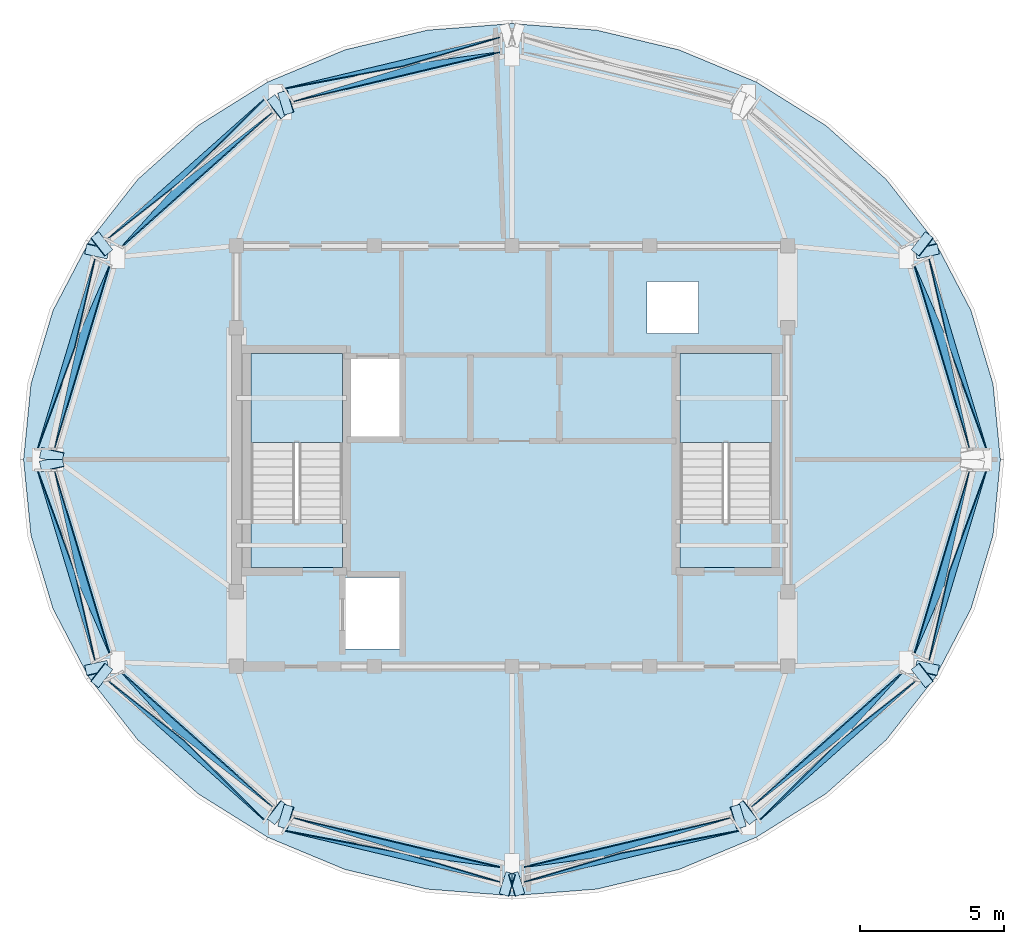
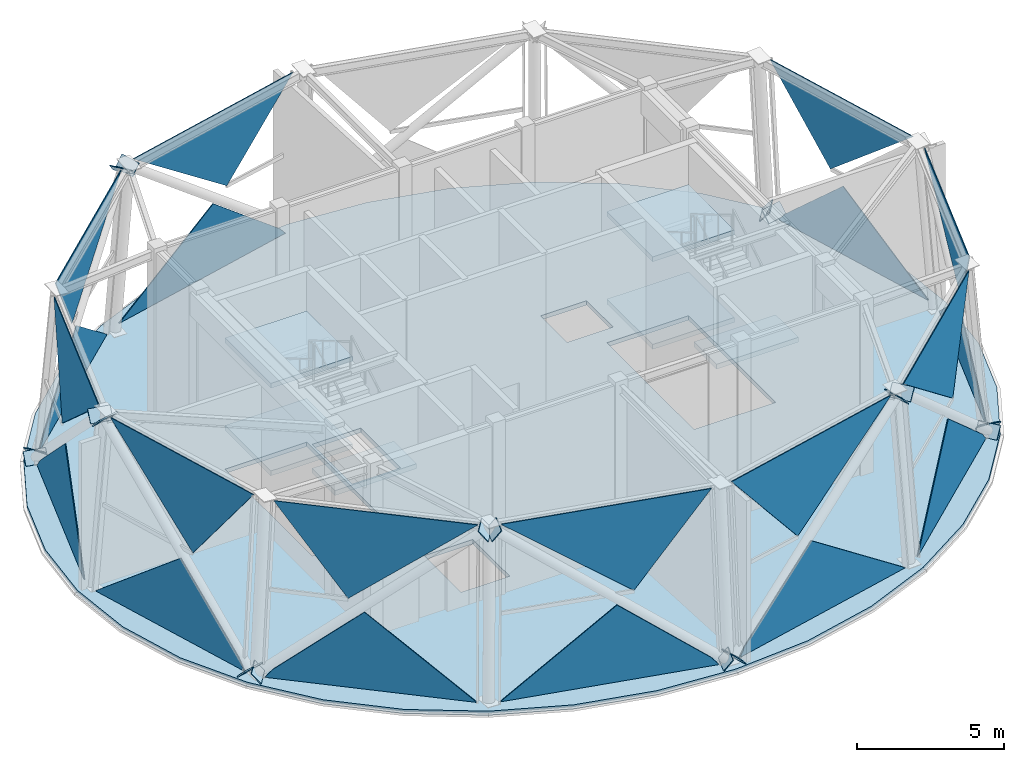
# One storey, part 3 of 9: 38 plates, 7 slabs, 12 elements without a shape of their own.
"""IFC4 building model written with IfcOpenShell, lengths in metres."""

from ifc_helpers import new_model, si_unit, direction, frame, origin, place, context, subcontext, project, spatial, polyline, outline, extrude, material, layer, layer_set, type_object, element, aggregate, save


model = new_model("IFC4")

# Units and contexts
model_context = context("Model", 3, precision=1e-05, world=origin(), true_north=direction((0.0, 1.0)))
body_context = subcontext(model_context, "Body", "Model", "MODEL_VIEW")
ifc_project = project(units=[si_unit("LENGTHUNIT", "METRE"), si_unit("AREAUNIT", "SQUARE_METRE"), si_unit("VOLUMEUNIT", "CUBIC_METRE"), si_unit("PLANEANGLEUNIT", "RADIAN"), si_unit("MASSUNIT", "GRAM", prefix="KILO")], contexts=[model_context])

# Site, building, storey
site_placement = place(None, origin())
site = spatial("IfcSite", under=ifc_project, at=site_placement, CompositionType="ELEMENT")
building_placement = place(site_placement, origin())
building = spatial("IfcBuilding", under=site, at=building_placement, Name="Vantalir Tower", CompositionType="ELEMENT")
storey_placement = place(building_placement, frame((0.0, 0.0, 311.75)))
storey = spatial("IfcBuildingStorey", under=building, at=storey_placement, Name="L77", CompositionType="ELEMENT", Elevation=311.75)

# Curtain wall, plates
ifc_material_1 = material(Name="Champagne-silver PVDF aluminium and double-silver Low-E glass", Category="aluminium")
ifc_layer_1 = layer(ifc_material_1, 0.25)
ifc_layer_set_1 = layer_set([ifc_layer_1], Name="Champagne-silver PVDF aluminium and double-silver Low-E glass")
curtain_wall_type = type_object("IfcCurtainWallType", Name="CW-CROWN-PT", PredefinedType="USERDEFINED", material=ifc_layer_set_1)
curtain_wall_1_placement = place(storey_placement, origin())
curtain_wall_1 = element("IfcCurtainWall", 1, at=curtain_wall_1_placement, inside=storey, type_object=curtain_wall_type, Name="L77 Quilted Pyramid-Diamond Curtain Wall S01", ObjectType="UNITISED CURTAIN WALL", PredefinedType="USERDEFINED")
ifc_material_2 = material(Name="Faceted crown Low-E glass IGU", Category="glass")
ifc_layer_2 = layer(ifc_material_2, 0.033935546875)
ifc_layer_set_2 = layer_set([ifc_layer_2], Name="Faceted crown Low-E glass IGU")
plate_type_1 = type_object("IfcPlateType", Name="CWP-IGU-CRN-34", PredefinedType="CURTAIN_PANEL", material=ifc_layer_set_2)
plate_1_placement = place(storey_placement, frame((48.0361328125, 25.38720703125, 0.04931640625), z_axis=(0.955012176743, 0.287329998419, 0.073438506796), x_axis=(-0.288115449425, 0.957595674868, 0.000106194464)))
plate_1 = element("IfcPlate", 2, at=plate_1_placement, type_object=plate_type_1, Name="CW-L77-S01 Pyramid Diamond Facet 1L", PredefinedType="CURTAIN_PANEL", context=body_context, shape_type="SweptSolid", body=[
    extrude(outline(polyline([(0.0, 0.0), (6.934702029560451, 2.7538735181131813e-17), (6.626071217324893, 0.40786840115409084), (3.753048219072223, 3.0380824976621223), (0.0, 0.0)])), origin(), (0.0, 0.0, -1.0), 0.033935546875),
])
plate_2_placement = place(storey_placement, frame((45.53076171875, 31.766357421875, 7.019775390625), z_axis=(0.953961009536, 0.287012465999, 0.087076039451), x_axis=(0.28809758673, -0.957601048679, 0.000109946923)))
plate_2 = element("IfcPlate", 3, at=plate_2_placement, type_object=plate_type_1, Name="CW-L77-S01 Pyramid Diamond Facet 2U", PredefinedType="CURTAIN_PANEL", context=body_context, shape_type="SweptSolid", body=[
    extrude(outline(polyline([(0.0, 0.0), (6.6615950341970755, 7.589415207398531e-18), (2.531010857207447, 3.483725487692817), (0.0, 0.0)])), origin(), (0.0, 0.0, -1.0), 0.033935546875),
])
aggregate(curtain_wall_1, [plate_1, plate_2])

curtain_wall_2_placement = place(storey_placement, origin())
curtain_wall_2 = element("IfcCurtainWall", 4, at=curtain_wall_2_placement, inside=storey, type_object=curtain_wall_type, Name="L77 Quilted Pyramid-Diamond Curtain Wall S04", ObjectType="UNITISED CURTAIN WALL", PredefinedType="USERDEFINED")
plate_3_placement = place(storey_placement, frame((31.10693359375, 39.73583984375, 0.049560546875), z_axis=(-0.231632881221, 0.970560826286, 0.066014322813), x_axis=(-0.972683531964, -0.232135181835, -6.3245868e-05)))
plate_3 = element("IfcPlate", 5, at=plate_3_placement, type_object=plate_type_1, Name="CW-L77-S04 Pyramid Diamond Facet 1L", PredefinedType="CURTAIN_PANEL", context=body_context, shape_type="SweptSolid", body=[
    extrude(outline(polyline([(0.0, 0.0), (7.751281555355165, -9.540979117872439e-18), (3.553887521909711, 3.0405486041983556), (0.2887131043768146, 0.3406030210276883), (0.0, 0.0)])), origin(), (0.0, 0.0, -1.0), 0.033935546875),
])
plate_4_placement = place(storey_placement, frame((23.8603515625, 37.483154296875, 7.020751953125), z_axis=(-0.231408325394, 0.969592006414, 0.079633711684), x_axis=(0.972679835992, 0.232150667368, -6.5542255e-05)))
plate_4 = element("IfcPlate", 6, at=plate_4_placement, type_object=plate_type_1, Name="CW-L77-S04 Pyramid Diamond Facet 2U", PredefinedType="CURTAIN_PANEL", context=body_context, shape_type="SweptSolid", body=[
    extrude(outline(polyline([(0.0, 0.0), (7.449869548532356, -2.222614453595284e-17), (4.622520735651322, 3.4819464328021157), (0.0, 0.0)])), origin(), (0.0, 0.0, -1.0), 0.033935546875),
])
aggregate(curtain_wall_2, [plate_3, plate_4])

curtain_wall_3_placement = place(storey_placement, origin())
curtain_wall_3 = element("IfcCurtainWall", 7, at=curtain_wall_3_placement, inside=storey, type_object=curtain_wall_type, Name="L77 Quilted Pyramid-Diamond Curtain Wall S05", ObjectType="UNITISED CURTAIN WALL", PredefinedType="USERDEFINED")
plate_5_placement = place(storey_placement, frame((22.8720703125, 37.573974609375, 0.04931640625), z_axis=(-0.66341399739, 0.745011022953, 0.069573297645), x_axis=(-0.746817640441, -0.66502887728, 6.5657226e-05)))
plate_5 = element("IfcPlate", 8, at=plate_5_placement, type_object=plate_type_1, Name="CW-L77-S05 Pyramid Diamond Facet 1L", PredefinedType="CURTAIN_PANEL", context=body_context, shape_type="SweptSolid", body=[
    extrude(outline(polyline([(0.0, 0.0), (7.3537247055212145, -4.2825985813177425e-17), (7.053623756728554, 0.36785990261529244), (3.9421900980509785, 3.0373691792836417), (0.0, 0.0)])), origin(), (0.0, 0.0, -1.0), 0.033935546875),
])
plate_6_placement = place(storey_placement, frame((17.887451171875, 32.422119140625, 7.02001953125), z_axis=(-0.662654787285, 0.744320157688, 0.082922468292), x_axis=(0.746898185488, 0.664938410508, 0.000103659075)))
plate_6 = element("IfcPlate", 9, at=plate_6_placement, type_object=plate_type_1, Name="CW-L77-S05 Pyramid Diamond Facet 2U", PredefinedType="CURTAIN_PANEL", context=body_context, shape_type="SweptSolid", body=[
    extrude(outline(polyline([(0.0, 0.0), (7.065680239333695, 9.8879238130678e-17), (2.633110383253855, 3.4827264533966646), (0.0, 0.0)])), origin(), (0.0, 0.0, -1.0), 0.033935546875),
])
aggregate(curtain_wall_3, [plate_5, plate_6])

curtain_wall_4_placement = place(storey_placement, origin())
curtain_wall_4 = element("IfcCurtainWall", 10, at=curtain_wall_4_placement, inside=storey, type_object=curtain_wall_type, Name="L77 Quilted Pyramid-Diamond Curtain Wall S06", ObjectType="UNITISED CURTAIN WALL", PredefinedType="USERDEFINED")
plate_7_placement = place(storey_placement, frame((16.9619140625, 32.02783203125, 0.050048828125), z_axis=(-0.955012176743, 0.287329998419, 0.073438506796), x_axis=(-0.288115449425, -0.957595674868, -0.000106194464)))
plate_7 = element("IfcPlate", 11, at=plate_7_placement, type_object=plate_type_1, Name="CW-L77-S06 Pyramid Diamond Facet 1L", PredefinedType="CURTAIN_PANEL", context=body_context, shape_type="SweptSolid", body=[
    extrude(outline(polyline([(0.0, 0.0), (6.934702029560451, -2.7538735181131813e-17), (3.181653810488227, 3.038082497662122), (0.3086308122355579, 0.4078684011540909), (0.0, 0.0)])), origin(), (0.0, 0.0, -1.0), 0.033935546875),
])
plate_8_placement = place(storey_placement, frame((15.550048828125, 25.38720703125, 7.0205078125), z_axis=(-0.953961009536, 0.287012465999, 0.087076039451), x_axis=(0.28809758673, 0.957601048679, -0.000109946923)))
plate_8 = element("IfcPlate", 12, at=plate_8_placement, type_object=plate_type_1, Name="CW-L77-S06 Pyramid Diamond Facet 2U", PredefinedType="CURTAIN_PANEL", context=body_context, shape_type="SweptSolid", body=[
    extrude(outline(polyline([(0.0, 0.0), (6.6615950341970755, -7.589415207398531e-18), (4.130584176989628, 3.483725487692817), (0.0, 0.0)])), origin(), (0.0, 0.0, -1.0), 0.033935546875),
])
aggregate(curtain_wall_4, [plate_7, plate_8])

curtain_wall_5_placement = place(storey_placement, origin())
curtain_wall_5 = element("IfcCurtainWall", 13, at=curtain_wall_5_placement, inside=storey, type_object=curtain_wall_type, Name="L77 Quilted Pyramid-Diamond Curtain Wall S07", ObjectType="UNITISED CURTAIN WALL", PredefinedType="USERDEFINED")
plate_9_placement = place(storey_placement, frame((14.9638671875, 24.61279296875, 0.04931640625), z_axis=(-0.955012176743, -0.287329998419, 0.073438506796), x_axis=(0.288115449425, -0.957595674868, 0.000106194464)))
plate_9 = element("IfcPlate", 14, at=plate_9_placement, type_object=plate_type_1, Name="CW-L77-S07 Pyramid Diamond Facet 1L", PredefinedType="CURTAIN_PANEL", context=body_context, shape_type="SweptSolid", body=[
    extrude(outline(polyline([(0.0, 0.0), (6.934702029560451, 2.7538735181131813e-17), (6.626071217324893, 0.40786840115409084), (3.753048219072223, 3.0380824976621223), (0.0, 0.0)])), origin(), (0.0, 0.0, -1.0), 0.033935546875),
])
plate_10_placement = place(storey_placement, frame((17.46923828125, 18.233642578125, 7.019775390625), z_axis=(-0.953961009536, -0.287012465999, 0.087076039451), x_axis=(-0.28809758673, 0.957601048679, 0.000109946923)))
plate_10 = element("IfcPlate", 15, at=plate_10_placement, type_object=plate_type_1, Name="CW-L77-S07 Pyramid Diamond Facet 2U", PredefinedType="CURTAIN_PANEL", context=body_context, shape_type="SweptSolid", body=[
    extrude(outline(polyline([(0.0, 0.0), (6.6615950341970755, 7.589415207398531e-18), (2.531010857207447, 3.483725487692817), (0.0, 0.0)])), origin(), (0.0, 0.0, -1.0), 0.033935546875),
])
aggregate(curtain_wall_5, [plate_9, plate_10])

curtain_wall_6_placement = place(storey_placement, origin())
curtain_wall_6 = element("IfcCurtainWall", 16, at=curtain_wall_6_placement, inside=storey, type_object=curtain_wall_type, Name="L77 Quilted Pyramid-Diamond Curtain Wall S08", ObjectType="UNITISED CURTAIN WALL", PredefinedType="USERDEFINED")
plate_11_placement = place(storey_placement, frame((17.380126953125, 17.31640625, 0.0498046875), z_axis=(-0.663450955963, -0.744983318847, 0.069517506222), x_axis=(0.746786903312, -0.665063392896, -6.6872084e-05)))
plate_11 = element("IfcPlate", 17, at=plate_11_placement, type_object=plate_type_1, Name="CW-L77-S08 Pyramid Diamond Facet 1L", PredefinedType="CURTAIN_PANEL", context=body_context, shape_type="SweptSolid", body=[
    extrude(outline(polyline([(0.0, 0.0), (7.352833040974875, 9.269928574751063e-18), (3.4115012203229305, 3.037116756814802), (0.2999169951603921, 0.36784992590931226), (0.0, 0.0)])), origin(), (0.0, 0.0, -1.0), 0.033935546875),
])
plate_12_placement = place(storey_placement, frame((23.164794921875, 12.879638671875, 7.020751953125), z_axis=(-0.662652228857, -0.744317276693, 0.082968760428), x_axis=(-0.746898185488, 0.664938410508, -0.000103659075)))
plate_12 = element("IfcPlate", 18, at=plate_12_placement, type_object=plate_type_1, Name="CW-L77-S08 Pyramid Diamond Facet 2U", PredefinedType="CURTAIN_PANEL", context=body_context, shape_type="SweptSolid", body=[
    extrude(outline(polyline([(0.0, 0.0), (7.065680239333695, -8.46761896711179e-17), (4.432752204269656, 3.482739899824792), (0.0, 0.0)])), origin(), (0.0, 0.0, -1.0), 0.033935546875),
])
aggregate(curtain_wall_6, [plate_11, plate_12])

curtain_wall_7_placement = place(storey_placement, origin())
curtain_wall_7 = element("IfcCurtainWall", 19, at=curtain_wall_7_placement, inside=storey, type_object=curtain_wall_type, Name="L77 Quilted Pyramid-Diamond Curtain Wall S09", ObjectType="UNITISED CURTAIN WALL", PredefinedType="USERDEFINED")
plate_13_placement = place(storey_placement, frame((23.56640625, 12.0634765625, 0.049072265625), z_axis=(-0.231601564441, -0.970572575754, 0.065951425627), x_axis=(0.972691247436, -0.232102850467, 6.2973711e-05)))
plate_13 = element("IfcPlate", 20, at=plate_13_placement, type_object=plate_type_1, Name="CW-L77-S09 Pyramid Diamond Facet 1L", PredefinedType="CURTAIN_PANEL", context=body_context, shape_type="SweptSolid", body=[
    extrude(outline(polyline([(0.0, 0.0), (7.752231445852116, -1.8214596497756474e-17), (7.4635189955299674, 0.3406035767227069), (4.198168979634575, 3.0407796453364395), (0.0, 0.0)])), origin(), (0.0, 0.0, -1.0), 0.033935546875),
])
plate_14_placement = place(storey_placement, frame((31.106689453125, 10.787353515625, 7.020263671875), z_axis=(-0.231408024372, -0.969590749741, 0.079649885581), x_axis=(-0.972679835992, 0.232150667368, 6.5542255e-05)))
plate_14 = element("IfcPlate", 21, at=plate_14_placement, type_object=plate_type_1, Name="CW-L77-S09 Pyramid Diamond Facet 2U", PredefinedType="CURTAIN_PANEL", context=body_context, shape_type="SweptSolid", body=[
    extrude(outline(polyline([(0.0, 0.0), (7.449869548532356, -3.74049749507499e-18), (2.827586283544119, 3.4819509622078564), (0.0, 0.0)])), origin(), (0.0, 0.0, -1.0), 0.033935546875),
])
aggregate(curtain_wall_7, [plate_13, plate_14])

curtain_wall_8_placement = place(storey_placement, origin())
curtain_wall_8 = element("IfcCurtainWall", 22, at=curtain_wall_8_placement, inside=storey, type_object=curtain_wall_type, Name="L77 Quilted Pyramid-Diamond Curtain Wall S10", ObjectType="UNITISED CURTAIN WALL", PredefinedType="USERDEFINED")
plate_15_placement = place(storey_placement, frame((31.89306640625, 10.26416015625, 0.049560546875), z_axis=(0.231601564441, -0.970572575754, 0.065951425627), x_axis=(0.972691247436, 0.232102850467, -6.2973711e-05)))
plate_15 = element("IfcPlate", 23, at=plate_15_placement, type_object=plate_type_1, Name="CW-L77-S10 Pyramid Diamond Facet 1L", PredefinedType="CURTAIN_PANEL", context=body_context, shape_type="SweptSolid", body=[
    extrude(outline(polyline([(0.0, 0.0), (7.752231445852116, 1.8214596497756474e-17), (3.5540624662175406, 3.0407796453364395), (0.2887124503221482, 0.34060357672270697), (0.0, 0.0)])), origin(), (0.0, 0.0, -1.0), 0.033935546875),
])
plate_16_placement = place(storey_placement, frame((39.1396484375, 12.516845703125, 7.020751953125), z_axis=(0.231408024372, -0.969590749741, 0.079649885581), x_axis=(-0.972679835992, -0.232150667368, -6.5542255e-05)))
plate_16 = element("IfcPlate", 24, at=plate_16_placement, type_object=plate_type_1, Name="CW-L77-S10 Pyramid Diamond Facet 2U", PredefinedType="CURTAIN_PANEL", context=body_context, shape_type="SweptSolid", body=[
    extrude(outline(polyline([(0.0, 0.0), (7.449869548532356, 3.74049749507499e-18), (4.622283264988238, 3.4819509622078564), (0.0, 0.0)])), origin(), (0.0, 0.0, -1.0), 0.033935546875),
])
aggregate(curtain_wall_8, [plate_15, plate_16])

curtain_wall_9_placement = place(storey_placement, origin())
curtain_wall_9 = element("IfcCurtainWall", 25, at=curtain_wall_9_placement, inside=storey, type_object=curtain_wall_type, Name="L77 Quilted Pyramid-Diamond Curtain Wall S11", ObjectType="UNITISED CURTAIN WALL", PredefinedType="USERDEFINED")
plate_17_placement = place(storey_placement, frame((40.12890625, 12.42626953125, 0.04931640625), z_axis=(0.663450955963, -0.744983318847, 0.069517506222), x_axis=(0.746786903312, 0.665063392896, 6.6872084e-05)))
plate_17 = element("IfcPlate", 26, at=plate_17_placement, type_object=plate_type_1, Name="CW-L77-S11 Pyramid Diamond Facet 1L", PredefinedType="CURTAIN_PANEL", context=body_context, shape_type="SweptSolid", body=[
    extrude(outline(polyline([(0.0, 0.0), (7.352833040974875, -9.269928574751063e-18), (7.0529160458144835, 0.3678499259093123), (3.9413318206519454, 3.0371167568148016), (0.0, 0.0)])), origin(), (0.0, 0.0, -1.0), 0.033935546875),
])
plate_18_placement = place(storey_placement, frame((45.112548828125, 17.577880859375, 7.02001953125), z_axis=(0.662652228857, -0.744317276693, 0.082968760428), x_axis=(-0.746898185488, -0.664938410508, 0.000103659075)))
plate_18 = element("IfcPlate", 27, at=plate_18_placement, type_object=plate_type_1, Name="CW-L77-S11 Pyramid Diamond Facet 2U", PredefinedType="CURTAIN_PANEL", context=body_context, shape_type="SweptSolid", body=[
    extrude(outline(polyline([(0.0, 0.0), (7.065680239333695, 8.46761896711179e-17), (2.632928035064039, 3.482739899824792), (0.0, 0.0)])), origin(), (0.0, 0.0, -1.0), 0.033935546875),
])
aggregate(curtain_wall_9, [plate_17, plate_18])

curtain_wall_10_placement = place(storey_placement, origin())
curtain_wall_10 = element("IfcCurtainWall", 28, at=curtain_wall_10_placement, inside=storey, type_object=curtain_wall_type, Name="L77 Quilted Pyramid-Diamond Curtain Wall S12", ObjectType="UNITISED CURTAIN WALL", PredefinedType="USERDEFINED")
plate_19_placement = place(storey_placement, frame((46.0380859375, 17.97216796875, 0.050048828125), z_axis=(0.955012176743, -0.287329998419, 0.073438506796), x_axis=(0.288115449425, 0.957595674868, -0.000106194464)))
plate_19 = element("IfcPlate", 29, at=plate_19_placement, type_object=plate_type_1, Name="CW-L77-S12 Pyramid Diamond Facet 1L", PredefinedType="CURTAIN_PANEL", context=body_context, shape_type="SweptSolid", body=[
    extrude(outline(polyline([(0.0, 0.0), (6.934702029560451, -2.7538735181131813e-17), (3.181653810488227, 3.038082497662122), (0.3086308122355579, 0.4078684011540909), (0.0, 0.0)])), origin(), (0.0, 0.0, -1.0), 0.033935546875),
])
plate_20_placement = place(storey_placement, frame((47.449951171875, 24.61279296875, 7.0205078125), z_axis=(0.953961009536, -0.287012465999, 0.087076039451), x_axis=(-0.28809758673, -0.957601048679, -0.000109946923)))
plate_20 = element("IfcPlate", 30, at=plate_20_placement, type_object=plate_type_1, Name="CW-L77-S12 Pyramid Diamond Facet 2U", PredefinedType="CURTAIN_PANEL", context=body_context, shape_type="SweptSolid", body=[
    extrude(outline(polyline([(0.0, 0.0), (6.6615950341970755, -7.589415207398531e-18), (4.130584176989628, 3.483725487692817), (0.0, 0.0)])), origin(), (0.0, 0.0, -1.0), 0.033935546875),
])
aggregate(curtain_wall_10, [plate_19, plate_20])

# Plates
ifc_material_3 = material(Name="Steel S460", Category="steel")
ifc_layer_3 = layer(ifc_material_3, 0.031982421875)
ifc_layer_set_3 = layer_set([ifc_layer_3], Name="Steel S460")
plate_type_2 = type_object("IfcPlateType", Name="PLT-KN-Z3", PredefinedType="USERDEFINED", material=ifc_layer_set_3)
plate_21_placement = place(storey_placement, frame((45.897705078125, 32.94091796875, 0.0302734375), z_axis=(-0.600158719192, 0.467267260388, 0.649207839715), x_axis=(-0.614300233876, -0.789072379771, 4.6283455e-05)))
element("IfcPlate", 31, at=plate_21_placement, inside=storey, type_object=plate_type_2, Name="Node Cap Plate MEM-DG-L77-R04L Start", ObjectType="FLANGE_PLATE", PredefinedType="USERDEFINED", context=body_context, shape_type="SweptSolid", body=[
    extrude(outline(polyline([(0.0, 0.0), (0.8000799670118719, -5.551115123125783e-17), (0.8000301316760322, 0.5199382537937726), (0.0001428092881279382, 0.5200356123754015), (0.0, 0.0)])), origin(), (0.0, 0.0, -1.0), 0.031982421875),
])
plate_22_placement = place(storey_placement, frame((45.60595703125, 31.992919921875, 0.041015625), z_axis=(0.160170520317, -0.722178286815, 0.672907071203), x_axis=(0.976291337283, 0.216460664436, -7.4155364e-05)))
element("IfcPlate", 32, at=plate_22_placement, inside=storey, type_object=plate_type_2, Name="Node Cap Plate MEM-DG-L77-R04R Start", ObjectType="FLANGE_PLATE", PredefinedType="USERDEFINED", context=body_context, shape_type="SweptSolid", body=[
    extrude(outline(polyline([(0.0, 0.0), (0.799957665784163, 1.3877787807814457e-17), (0.7997871226840061, 0.5202255990742903), (-0.00022338994206034965, 0.5200652071744087), (0.0, 0.0)])), origin(), (0.0, 0.0, -1.0), 0.031982421875),
])
plate_23_placement = place(storey_placement, frame((23.33740234375, 37.767578125, 6.664794921875), z_axis=(-0.738619606851, -0.224530936309, 0.635631131251), x_axis=(0.290845849955, -0.956769926139, 0.0)))
element("IfcPlate", 33, at=plate_23_placement, inside=storey, type_object=plate_type_2, Name="Node Cap Plate MEM-DG-L77-R10L End", ObjectType="FLANGE_PLATE", PredefinedType="USERDEFINED", context=body_context, shape_type="SweptSolid", body=[
    extrude(outline(polyline([(0.0, 0.0), (0.79996333336249, -2.7755575615628914e-17), (0.799884726134364, 0.5199104529275843), (-7.860722812594992e-05, 0.5199104529275843), (0.0, 0.0)])), origin(), (0.0, 0.0, -1.0), 0.031982421875),
])
plate_24_placement = place(storey_placement, frame((16.613037109375, 32.166015625, 0.041015625), z_axis=(-0.160170520317, -0.722178286815, 0.672907071203), x_axis=(0.976291337283, -0.216460664436, 7.4155364e-05)))
element("IfcPlate", 34, at=plate_24_placement, inside=storey, type_object=plate_type_2, Name="Node Cap Plate MEM-DG-L77-R16L Start", ObjectType="FLANGE_PLATE", PredefinedType="USERDEFINED", context=body_context, shape_type="SweptSolid", body=[
    extrude(outline(polyline([(0.0, 0.0), (0.799957665784163, -1.3877787807814457e-17), (0.8001810557262234, 0.5200652071744087), (0.00017054310015707116, 0.5202255990742902), (0.0, 0.0)])), origin(), (0.0, 0.0, -1.0), 0.031982421875),
])
plate_25_placement = place(storey_placement, frame((15.037109375, 25.057373046875, 6.665771484375), z_axis=(-0.160181474395, -0.722227676658, 0.672851453391), x_axis=(0.976262128261, -0.216592362342, -7.4149406e-05)))
element("IfcPlate", 35, at=plate_25_placement, inside=storey, type_object=plate_type_2, Name="Node Cap Plate MEM-DG-L77-R16L End", ObjectType="FLANGE_PLATE", PredefinedType="USERDEFINED", context=body_context, shape_type="SweptSolid", body=[
    extrude(outline(polyline([(0.0, 0.0), (0.8000105287036665, 2.7755575615628914e-17), (0.7998384322726139, 0.5201900219290092), (-0.00011921743634029344, 0.5200296538834696), (0.0, 0.0)])), origin(), (0.0, 0.0, -1.0), 0.031982421875),
])
for number, where, z_axis, x_axis, name in (
    (36, (17.59375, 32.3095703125, 0.0302734375), (0.600158719192, 0.467267260388, 0.649207839715), (-0.614300233876, 0.789072379771, -4.6283455e-05), "Node Cap Plate MEM-DG-L77-R16R Start"),
    (37, (23.728271484375, 37.08544921875, 6.6650390625), (0.600158719192, 0.467267260388, 0.649207839715), (-0.614300233876, 0.789072379771, -4.6283455e-05), "Node Cap Plate MEM-DG-L77-R16R End"),
):
    element("IfcPlate", number, at=place(storey_placement, frame(where, z_axis=z_axis, x_axis=x_axis)), inside=storey, type_object=plate_type_2, Name=name, ObjectType="FLANGE_PLATE", PredefinedType="USERDEFINED", context=body_context, shape_type="SweptSolid", body=[
        extrude(outline(polyline([(0.0, 0.0), (0.8000799670118719, 5.551115123125783e-17), (0.7999371577237439, 0.5200356123754015), (4.983533583970895e-05, 0.5199382537937727), (0.0, 0.0)])), origin(), (0.0, 0.0, -1.0), 0.031982421875),
    ])
for number, where, z_axis, x_axis, name in (
    (38, (17.102294921875, 17.05908203125, 0.0302734375), (0.600158719192, -0.467267260388, 0.649207839715), (0.614300233876, 0.789072379771, 4.6283455e-05), "Node Cap Plate MEM-DG-L77-R22L Start"),
    (39, (23.23681640625, 12.283203125, 6.6650390625), (0.600158719192, -0.467267260388, 0.649207839715), (0.614300233876, 0.789072379771, 4.6283455e-05), "Node Cap Plate MEM-DG-L77-R22L End"),
):
    element("IfcPlate", number, at=place(storey_placement, frame(where, z_axis=z_axis, x_axis=x_axis)), inside=storey, type_object=plate_type_2, Name=name, ObjectType="FLANGE_PLATE", PredefinedType="USERDEFINED", context=body_context, shape_type="SweptSolid", body=[
        extrude(outline(polyline([(0.0, 0.0), (0.8000799670118719, -5.551115123125783e-17), (0.8000301316760322, 0.5199382537937726), (0.0001428092881279382, 0.5200356123754015), (0.0, 0.0)])), origin(), (0.0, 0.0, -1.0), 0.031982421875),
    ])
plate_26_placement = place(storey_placement, frame((17.39404296875, 18.007080078125, 0.041015625), z_axis=(-0.160170520317, 0.722178286815, 0.672907071203), x_axis=(-0.976291337283, -0.216460664436, -7.4155364e-05)))
element("IfcPlate", 40, at=plate_26_placement, inside=storey, type_object=plate_type_2, Name="Node Cap Plate MEM-DG-L77-R22R Start", ObjectType="FLANGE_PLATE", PredefinedType="USERDEFINED", context=body_context, shape_type="SweptSolid", body=[
    extrude(outline(polyline([(0.0, 0.0), (0.799957665784163, 1.3877787807814457e-17), (0.7997871226840061, 0.5202255990742903), (-0.00022338994206034965, 0.5200652071744087), (0.0, 0.0)])), origin(), (0.0, 0.0, -1.0), 0.031982421875),
])
plate_27_placement = place(storey_placement, frame((15.818115234375, 25.115966796875, 6.665771484375), z_axis=(-0.160181474395, 0.722227676658, 0.672851453391), x_axis=(-0.976262128261, -0.216592362342, 7.4149406e-05)))
element("IfcPlate", 41, at=plate_27_placement, inside=storey, type_object=plate_type_2, Name="Node Cap Plate MEM-DG-L77-R22R End", ObjectType="FLANGE_PLATE", PredefinedType="USERDEFINED", context=body_context, shape_type="SweptSolid", body=[
    extrude(outline(polyline([(0.0, 0.0), (0.8000105287036665, -2.7755575615628914e-17), (0.8001297461400069, 0.5200296538834696), (0.00017209643105269544, 0.5201900219290091), (0.0, 0.0)])), origin(), (0.0, 0.0, -1.0), 0.031982421875),
])
plate_28_placement = place(storey_placement, frame((31.94287109375, 9.886474609375, 0.024169921875), z_axis=(0.738683729323, 0.224550428722, 0.635549725037), x_axis=(-0.290845849955, 0.956769926139, 0.0)))
element("IfcPlate", 42, at=plate_28_placement, inside=storey, type_object=plate_type_2, Name="Node Cap Plate MEM-DG-L77-R28L Start", ObjectType="FLANGE_PLATE", PredefinedType="USERDEFINED", context=body_context, shape_type="SweptSolid", body=[
    extrude(outline(polyline([(0.0, 0.0), (0.79996333336249, 0.0), (0.8001183125421127, 0.5198653213751403), (0.00015497917962277452, 0.5198653213751402), (0.0, 0.0)])), origin(), (0.0, 0.0, -1.0), 0.031982421875),
])
plate_29_placement = place(storey_placement, frame((39.66259765625, 12.232421875, 6.664794921875), z_axis=(0.738619606851, 0.224530936309, 0.635631131251), x_axis=(-0.290845849955, 0.956769926139, 0.0)))
element("IfcPlate", 43, at=plate_29_placement, inside=storey, type_object=plate_type_2, Name="Node Cap Plate MEM-DG-L77-R28L End", ObjectType="FLANGE_PLATE", PredefinedType="USERDEFINED", context=body_context, shape_type="SweptSolid", body=[
    extrude(outline(polyline([(0.0, 0.0), (0.79996333336249, -2.7755575615628914e-17), (0.799884726134364, 0.5199104529275843), (-7.860722812594992e-05, 0.5199104529275843), (0.0, 0.0)])), origin(), (0.0, 0.0, -1.0), 0.031982421875),
])
plate_30_placement = place(storey_placement, frame((31.289794921875, 10.65185546875, 0.024169921875), z_axis=(-0.738683729323, 0.224550428722, 0.635549725037), x_axis=(-0.290845849955, -0.956769926139, 0.0)))
element("IfcPlate", 44, at=plate_30_placement, inside=storey, type_object=plate_type_2, Name="Node Cap Plate MEM-DG-L77-R28R Start", ObjectType="FLANGE_PLATE", PredefinedType="USERDEFINED", context=body_context, shape_type="SweptSolid", body=[
    extrude(outline(polyline([(0.0, 0.0), (0.79996333336249, 0.0), (0.7998083541828673, 0.5198653213751402), (-0.00015497917962277452, 0.5198653213751402), (0.0, 0.0)])), origin(), (0.0, 0.0, -1.0), 0.031982421875),
])
plate_31_placement = place(storey_placement, frame((23.570068359375, 12.997802734375, 6.664794921875), z_axis=(-0.738619606851, 0.224530936309, 0.635631131251), x_axis=(-0.290845849955, -0.956769926139, 0.0)))
element("IfcPlate", 45, at=plate_31_placement, inside=storey, type_object=plate_type_2, Name="Node Cap Plate MEM-DG-L77-R28R End", ObjectType="FLANGE_PLATE", PredefinedType="USERDEFINED", context=body_context, shape_type="SweptSolid", body=[
    extrude(outline(polyline([(0.0, 0.0), (0.79996333336249, 2.7755575615628914e-17), (0.8000419405906161, 0.5199104529275843), (7.860722812594992e-05, 0.5199104529275843), (0.0, 0.0)])), origin(), (0.0, 0.0, -1.0), 0.031982421875),
])
plate_32_placement = place(storey_placement, frame((46.386962890625, 17.833984375, 0.041015625), z_axis=(0.160170520317, 0.722178286815, 0.672907071203), x_axis=(-0.976291337283, 0.216460664436, 7.4155364e-05)))
element("IfcPlate", 46, at=plate_32_placement, inside=storey, type_object=plate_type_2, Name="Node Cap Plate MEM-DG-L77-R34L Start", ObjectType="FLANGE_PLATE", PredefinedType="USERDEFINED", context=body_context, shape_type="SweptSolid", body=[
    extrude(outline(polyline([(0.0, 0.0), (0.799957665784163, -1.3877787807814457e-17), (0.8001810557262234, 0.5200652071744087), (0.00017054310015707116, 0.5202255990742902), (0.0, 0.0)])), origin(), (0.0, 0.0, -1.0), 0.031982421875),
])
for number, where, z_axis, x_axis, name in (
    (47, (45.40625, 17.6904296875, 0.0302734375), (-0.600158719192, -0.467267260388, 0.649207839715), (0.614300233876, -0.789072379771, -4.6283455e-05), "Node Cap Plate MEM-DG-L77-R34R Start"),
    (48, (39.271728515625, 12.91455078125, 6.6650390625), (-0.600158719192, -0.467267260388, 0.649207839715), (0.614300233876, -0.789072379771, -4.6283455e-05), "Node Cap Plate MEM-DG-L77-R34R End"),
):
    element("IfcPlate", number, at=place(storey_placement, frame(where, z_axis=z_axis, x_axis=x_axis)), inside=storey, type_object=plate_type_2, Name=name, ObjectType="FLANGE_PLATE", PredefinedType="USERDEFINED", context=body_context, shape_type="SweptSolid", body=[
        extrude(outline(polyline([(0.0, 0.0), (0.8000799670118719, 5.551115123125783e-17), (0.7999371577237439, 0.5200356123754015), (4.983533583970895e-05, 0.5199382537937727), (0.0, 0.0)])), origin(), (0.0, 0.0, -1.0), 0.031982421875),
    ])

# Stair, slabs
ifc_material_4 = material(Name="Concrete C40/50", Category="concrete")
stair_type = type_object("IfcStairType", Name="STR-CORE-1450", PredefinedType="HALF_TURN_STAIR", material=ifc_material_4)
stair_1_placement = place(storey_placement, origin())
stair_1 = element("IfcStair", 49, at=stair_1_placement, inside=storey, type_object=stair_type, Name="L77 Core Exit Stair 1", PredefinedType="HALF_TURN_STAIR")
ifc_layer_4 = layer(ifc_material_4, 0.199951171875)
ifc_layer_set_4 = layer_set([ifc_layer_4], Name="Concrete C40/50")
slab_type_1 = type_object("IfcSlabType", Name="SL-LAND-200", PredefinedType="LANDING", material=ifc_layer_set_4)
slab_1_placement = place(storey_placement, frame((0.0, 0.0, 1.612548828125)))
slab_1 = element("IfcSlab", 50, at=slab_1_placement, type_object=slab_type_1, Name="ST1 landing 1", PredefinedType="LANDING", context=body_context, shape_type="SweptSolid", body=[
    extrude(outline(polyline([(25.60009765625, 25.590087890625), (25.60009765625, 28.699951171875), (22.39990234375, 28.699951171875), (22.39990234375, 25.590087890625), (25.60009765625, 25.590087890625)])), origin(), (0.0, 0.0, 1.0), 0.199951171875),
])
slab_2_placement = place(storey_placement, frame((0.0, 0.0, 3.425048828125)))
slab_2 = element("IfcSlab", 51, at=slab_2_placement, type_object=slab_type_1, Name="ST1 landing 2", PredefinedType="LANDING", context=body_context, shape_type="SweptSolid", body=[
    extrude(outline(polyline([(25.60009765625, 21.25), (25.60009765625, 22.7900390625), (22.39990234375, 22.7900390625), (22.39990234375, 21.25), (25.60009765625, 21.25)])), origin(), (0.0, 0.0, 1.0), 0.199951171875),
])
slab_3_placement = place(storey_placement, frame((0.0, 0.0, 5.237548828125)))
slab_3 = element("IfcSlab", 52, at=slab_3_placement, type_object=slab_type_1, Name="ST1 landing 3", PredefinedType="LANDING", context=body_context, shape_type="SweptSolid", body=[
    extrude(outline(polyline([(25.60009765625, 25.590087890625), (25.60009765625, 28.699951171875), (22.39990234375, 28.699951171875), (22.39990234375, 25.590087890625), (25.60009765625, 25.590087890625)])), origin(), (0.0, 0.0, 1.0), 0.199951171875),
])
aggregate(stair_1, [slab_1, slab_2, slab_3])

stair_2_placement = place(storey_placement, origin())
stair_2 = element("IfcStair", 53, at=stair_2_placement, inside=storey, type_object=stair_type, Name="L77 Core Exit Stair 2", PredefinedType="HALF_TURN_STAIR")
slab_4_placement = place(storey_placement, frame((0.0, 0.0, 1.612548828125)))
slab_4 = element("IfcSlab", 54, at=slab_4_placement, type_object=slab_type_1, Name="ST2 landing 1", PredefinedType="LANDING", context=body_context, shape_type="SweptSolid", body=[
    extrude(outline(polyline([(40.550048828125, 25.590087890625), (40.550048828125, 28.699951171875), (37.35009765625, 28.699951171875), (37.35009765625, 25.590087890625), (40.550048828125, 25.590087890625)])), origin(), (0.0, 0.0, 1.0), 0.199951171875),
])
slab_5_placement = place(storey_placement, frame((0.0, 0.0, 3.425048828125)))
slab_5 = element("IfcSlab", 55, at=slab_5_placement, type_object=slab_type_1, Name="ST2 landing 2", PredefinedType="LANDING", context=body_context, shape_type="SweptSolid", body=[
    extrude(outline(polyline([(40.550048828125, 21.25), (40.550048828125, 22.7900390625), (37.35009765625, 22.7900390625), (37.35009765625, 21.25), (40.550048828125, 21.25)])), origin(), (0.0, 0.0, 1.0), 0.199951171875),
])
slab_6_placement = place(storey_placement, frame((0.0, 0.0, 5.237548828125)))
slab_6 = element("IfcSlab", 56, at=slab_6_placement, type_object=slab_type_1, Name="ST2 landing 3", PredefinedType="LANDING", context=body_context, shape_type="SweptSolid", body=[
    extrude(outline(polyline([(40.550048828125, 25.590087890625), (40.550048828125, 28.699951171875), (37.35009765625, 28.699951171875), (37.35009765625, 25.590087890625), (40.550048828125, 25.590087890625)])), origin(), (0.0, 0.0, 1.0), 0.199951171875),
])
aggregate(stair_2, [slab_4, slab_5, slab_6])

# Slab
ifc_layer_5 = layer(ifc_material_4, 0.179931640625)
ifc_layer_set_5 = layer_set([ifc_layer_5], Name="Concrete C40/50")
slab_type_2 = type_object("IfcSlabType", Name="SL-TWR-180", PredefinedType="FLOOR", material=ifc_layer_set_5)
slab_7_placement = place(storey_placement, frame((0.0, 0.0, -0.179931640625)))
element("IfcSlab", 57, at=slab_7_placement, inside=storey, type_object=slab_type_2, Name="L77 Primary Structural Slab", PredefinedType="FLOOR", context=body_context, shape_type="SweptSolid", body=[
    extrude(outline(polyline([(44.532958984375, 15.236083984375), (46.23388671875, 17.405029296875), (47.487060546875, 19.804931640625), (48.2548828125, 22.362060546875), (48.512939453125, 25.0), (48.2548828125, 27.637939453125), (47.487060546875, 30.195068359375), (46.23388671875, 32.594970703125), (44.532958984375, 34.763916015625), (42.43603515625, 36.635986328125), (40.007080078125, 38.155029296875), (37.319091796875, 39.27392578125), (34.4541015625, 39.958984375), (31.5, 40.18994140625), (28.5458984375, 39.958984375), (25.680908203125, 39.27392578125), (22.993896484375, 38.155029296875), (20.56396484375, 36.635986328125), (18.467041015625, 34.763916015625), (16.76611328125, 32.594970703125), (15.512939453125, 30.195068359375), (14.7451171875, 27.637939453125), (14.487060546875, 25.0), (14.7451171875, 22.362060546875), (15.512939453125, 19.804931640625), (16.76611328125, 17.405029296875), (18.467041015625, 15.236083984375), (20.56396484375, 13.364013671875), (22.992919921875, 11.844970703125), (25.680908203125, 10.72607421875), (28.5458984375, 10.041015625), (31.5, 9.81005859375), (34.4541015625, 10.041015625), (37.319091796875, 10.72607421875), (40.007080078125, 11.844970703125), (42.43603515625, 13.364013671875), (44.532958984375, 15.236083984375)]), holes=[polyline([(25.60009765625, 22.7900390625), (22.39990234375, 22.7900390625), (22.39990234375, 28.699951171875), (25.60009765625, 28.699951171875), (25.60009765625, 22.7900390625)]), polyline([(37.35009765625, 22.7900390625), (37.35009765625, 28.699951171875), (40.550048828125, 28.699951171875), (40.550048828125, 22.7900390625), (37.35009765625, 22.7900390625)]), polyline([(25.699951171875, 20.89990234375), (27.60009765625, 20.89990234375), (27.60009765625, 18.39990234375), (25.699951171875, 18.39990234375), (25.699951171875, 20.89990234375)]), polyline([(27.60009765625, 28.5), (27.60009765625, 25.800048828125), (25.699951171875, 25.800048828125), (25.699951171875, 28.5), (27.60009765625, 28.5)]), polyline([(38.0, 29.39990234375), (36.199951171875, 29.39990234375), (36.199951171875, 31.199951171875), (38.0, 31.199951171875), (38.0, 29.39990234375)])]), origin(), (0.0, 0.0, 1.0), 0.179931640625),
])

save(model, "model.ifc")
